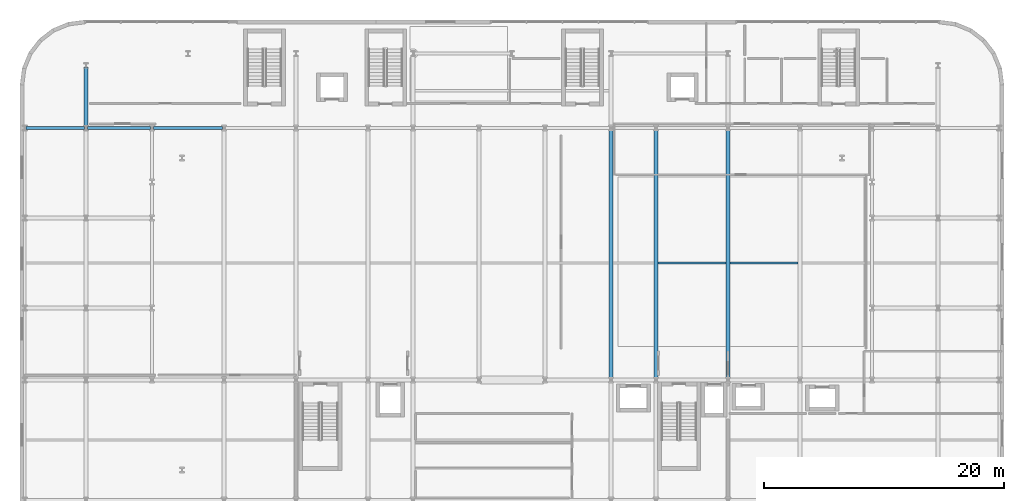
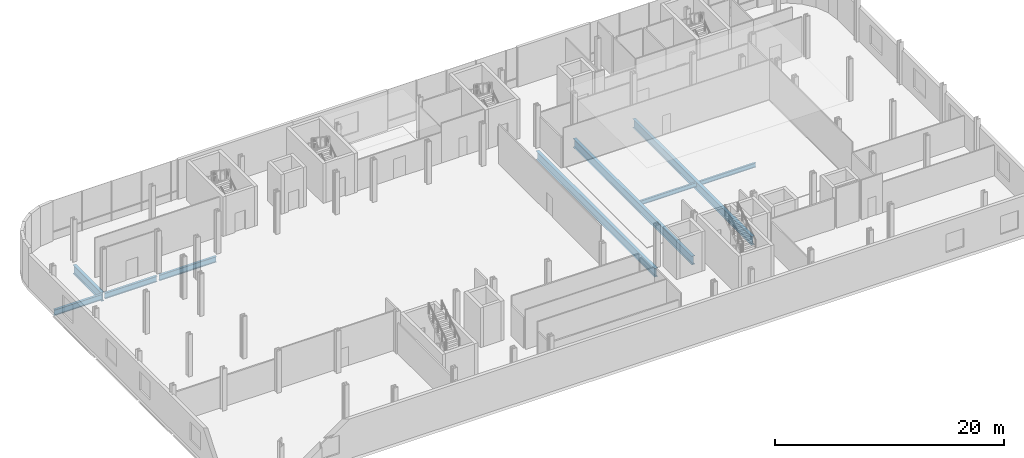
# One storey, part 4 of 25: 9 beams.
"""IFC4 building model written with IfcOpenShell, lengths in metres."""

from ifc_helpers import new_model, si_unit, direction, frame, origin, origin_2d, place, context, subcontext, project, spatial, i_section, extrude, material, material_profile, profile_set, type_object, element, save


model = new_model("IFC4")

# Units and contexts
model_context = context("Model", 3, precision=1e-05, world=origin(), true_north=direction((0.0, 1.0)))
body_context = subcontext(model_context, "Body", "Model", "MODEL_VIEW")
ifc_project = project(units=[si_unit("LENGTHUNIT", "METRE"), si_unit("AREAUNIT", "SQUARE_METRE"), si_unit("VOLUMEUNIT", "CUBIC_METRE"), si_unit("PLANEANGLEUNIT", "RADIAN"), si_unit("MASSUNIT", "GRAM", prefix="KILO")], contexts=[model_context])

# Site, building, storey
site_placement = place(None, origin())
site = spatial("IfcSite", under=ifc_project, at=site_placement, CompositionType="ELEMENT")
building_placement = place(site_placement, origin())
building = spatial("IfcBuilding", under=site, at=building_placement, Name="Brevholm Reach", CompositionType="ELEMENT")
storey_placement = place(building_placement, frame((0.0, 0.0, 4.5)))
storey = spatial("IfcBuildingStorey", under=building, at=storey_placement, Name="L01", CompositionType="ELEMENT", Elevation=4.5)

# Beams
ifc_material_1 = material(Name="Structural Steel S355J2", Category="steel")
ifc_material_profile_1 = material_profile(ifc_material_1, i_section(OverallWidth=0.1904296875, OverallDepth=0.45703125, WebThickness=0.009033203125, FlangeThickness=0.014404296875, FilletRadius=0.01025390625, at=origin_2d()), Name="UKB 457x191x74")
ifc_profile_set_1 = profile_set([ifc_material_profile_1], Name="Structural Steel S355J2")
beam_type_1 = type_object("IfcBeamType", Name="BM-B457", PredefinedType="BEAM", material=ifc_profile_set_1)
for number, where, z_axis, x_axis, name in (
    (1, (42.15380859375, 19.75, -0.548583984375), (1.0, 0.0, 0.0), (0.0, 1.0, 0.0), "L01 Composite Secondary Floor Beam"),
    (2, (48.15380859375, 19.75, -0.548583984375), (1.0, 0.0, 0.0), (0.0, 1.0, 0.0), "L01 Composite Secondary Floor Beam"),
):
    element("IfcBeam", number, at=place(storey_placement, frame(where, z_axis=z_axis, x_axis=x_axis)), inside=storey, type_object=beam_type_1, Name=name, PredefinedType="BEAM", context=body_context, shape_type="SweptSolid", body=[
        extrude(i_section(OverallWidth=0.1904296875, OverallDepth=0.45703125, WebThickness=0.009033203125, FlangeThickness=0.014404296875, FilletRadius=0.01025390625, at=origin_2d()), origin(), (0.0, 0.0, 1.0), 5.6923828125),
    ])
ifc_material_2 = material(Name="Structural Steel S355J2", Category="steel")
ifc_material_profile_2 = material_profile(ifc_material_2, i_section(OverallWidth=0.22900390625, OverallDepth=0.6123046875, WebThickness=0.011962890625, FlangeThickness=0.01953125, FilletRadius=0.0126953125, at=origin_2d()), Name="UKB 610x229x125")
ifc_profile_set_2 = profile_set([ifc_material_profile_2], Name="Structural Steel S355J2")
beam_type_2 = type_object("IfcBeamType", Name="BM-SP610", PredefinedType="SPANDREL", material=ifc_profile_set_2)
beam_1_placement = place(storey_placement, frame((-10.47998046875, 31.0, -0.626220703125), z_axis=(1.0, 0.0, 0.0), x_axis=(0.0, 1.0, 0.0)))
element("IfcBeam", 3, at=beam_1_placement, inside=storey, type_object=beam_type_2, Name="L01 SP-01 Framing Beam", PredefinedType="SPANDREL", context=body_context, shape_type="SweptSolid", body=[
    extrude(i_section(OverallWidth=0.22900390625, OverallDepth=0.6123046875, WebThickness=0.011962890625, FlangeThickness=0.01953125, FilletRadius=0.0126953125, at=origin_2d()), origin(), (0.0, 0.0, 1.0), 4.85986328125),
])
beam_2_placement = place(storey_placement, frame((-5.3798828125, 31.0, -0.626220703125), z_axis=(1.0, 0.0, 0.0), x_axis=(0.0, 1.0, 0.0)))
element("IfcBeam", 4, at=beam_2_placement, inside=storey, type_object=beam_type_2, Name="L01 SP-01 Framing Beam", PredefinedType="SPANDREL", context=body_context, shape_type="SweptSolid", body=[
    extrude(i_section(OverallWidth=0.22900390625, OverallDepth=0.6123046875, WebThickness=0.011962890625, FlangeThickness=0.01953125, FilletRadius=0.0126953125, at=origin_2d()), origin(), (0.0, 0.0, 1.0), 5.259765625),
])
beam_3_placement = place(storey_placement, frame((0.1201171875, 31.0, -0.626220703125), z_axis=(1.0, 0.0, 0.0), x_axis=(0.0, 1.0, 0.0)))
element("IfcBeam", 5, at=beam_3_placement, inside=storey, type_object=beam_type_2, Name="L01 SP-01 Framing Beam", PredefinedType="SPANDREL", context=body_context, shape_type="SweptSolid", body=[
    extrude(i_section(OverallWidth=0.22900390625, OverallDepth=0.6123046875, WebThickness=0.011962890625, FlangeThickness=0.01953125, FilletRadius=0.0126953125, at=origin_2d()), origin(), (0.0, 0.0, 1.0), 5.759765625),
])
ifc_material_3 = material(Name="Structural Steel S460ML", Category="steel")
ifc_material_profile_3 = material_profile(ifc_material_3, i_section(OverallWidth=0.3076171875, OverallDepth=0.926513671875, WebThickness=0.01953125, FlangeThickness=0.031982421875, FilletRadius=0.01904296875, at=origin_2d()), Name="UKB 914x305x289")
ifc_profile_set_3 = profile_set([ifc_material_profile_3], Name="Structural Steel S460ML")
beam_type_3 = type_object("IfcBeamType", Name="BM-UKB914B", PredefinedType="USERDEFINED", material=ifc_profile_set_3)
beam_4_placement = place(storey_placement, frame((-5.5, 31.1201171875, -0.783203125), z_axis=(0.0, 1.0, 0.0), x_axis=(-1.0, 0.0, 0.0)))
element("IfcBeam", 6, at=beam_4_placement, inside=storey, type_object=beam_type_3, Name="L01 G-02B Framing Beam", ObjectType="GIRDER", PredefinedType="USERDEFINED", context=body_context, shape_type="SweptSolid", body=[
    extrude(i_section(OverallWidth=0.3076171875, OverallDepth=0.926513671875, WebThickness=0.01953125, FlangeThickness=0.031982421875, FilletRadius=0.01904296875, at=origin_2d()), origin(), (0.0, 0.0, 1.0), 4.9599609375),
])
for number, where, z_axis, x_axis, name in (
    (7, (38.25, 10.1201171875, -0.783203125), (0.0, 1.0, 0.0), (-1.0, 0.0, 0.0), "L01 G-02B Framing Beam"),
    (8, (42.0, 10.1201171875, -0.783203125), (0.0, 1.0, 0.0), (-1.0, 0.0, 0.0), "L01 G-02B Framing Beam"),
    (9, (48.0, 10.1201171875, -0.783203125), (0.0, 1.0, 0.0), (-1.0, 0.0, 0.0), "L01 G-02B Framing Beam"),
):
    element("IfcBeam", number, at=place(storey_placement, frame(where, z_axis=z_axis, x_axis=x_axis)), inside=storey, type_object=beam_type_3, Name=name, ObjectType="GIRDER", PredefinedType="USERDEFINED", context=body_context, shape_type="SweptSolid", body=[
        extrude(i_section(OverallWidth=0.3076171875, OverallDepth=0.926513671875, WebThickness=0.01953125, FlangeThickness=0.031982421875, FilletRadius=0.01904296875, at=origin_2d()), origin(), (0.0, 0.0, 1.0), 20.759765625),
    ])

save(model, "model.ifc")
